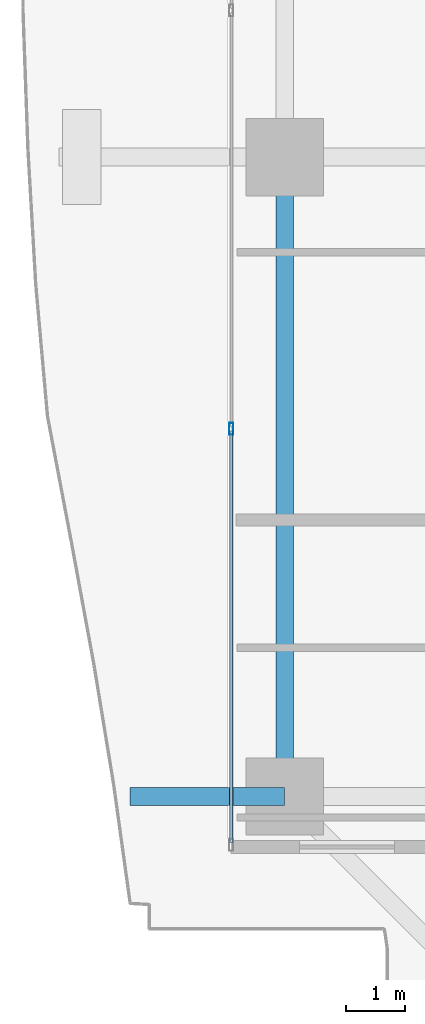
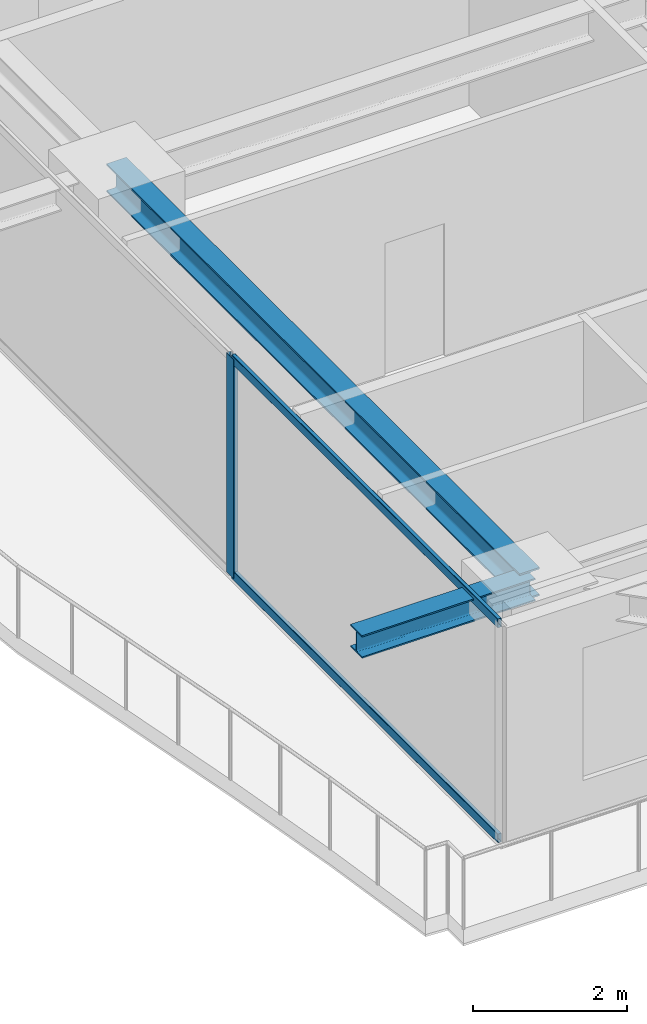
# One storey, part 3 of 39: 3 members, 2 beams, 1 element without a shape of its own.
"""IFC4 building model written with IfcOpenShell, lengths in metres."""

from ifc_helpers import new_model, si_unit, direction, frame, origin, origin_2d, place, context, subcontext, project, spatial, hollow_rectangle, i_section, extrude, source, transform, mapped, material, layer, layer_set, material_profile, profile_set, type_object, element, aggregate, save


model = new_model("IFC4")

# Units and contexts
model_context = context("Model", 3, precision=1e-05, world=origin(), true_north=direction((0.0, 1.0)))
body_context = subcontext(model_context, "Body", "Model", "MODEL_VIEW")
ifc_project = project(units=[si_unit("LENGTHUNIT", "METRE"), si_unit("AREAUNIT", "SQUARE_METRE"), si_unit("VOLUMEUNIT", "CUBIC_METRE"), si_unit("PLANEANGLEUNIT", "RADIAN"), si_unit("MASSUNIT", "GRAM", prefix="KILO")], contexts=[model_context])

# Site, building, storey
site_placement = place(None, origin())
site = spatial("IfcSite", under=ifc_project, at=site_placement, CompositionType="ELEMENT")
building_placement = place(site_placement, origin())
building = spatial("IfcBuilding", under=site, at=building_placement, Name="Serunith Strait Residences", CompositionType="ELEMENT")
storey_placement = place(building_placement, frame((0.0, 0.0, 123.89990234375)))
storey = spatial("IfcBuildingStorey", under=building, at=storey_placement, Name="L30", CompositionType="ELEMENT", Elevation=123.89990234375)

# Beams
ifc_material_1 = material(Name="Steel S355J2", Category="steel")
ifc_material_profile_1 = material_profile(ifc_material_1, i_section(OverallWidth=0.300048828125, OverallDepth=0.449951171875, WebThickness=0.013916015625, FlangeThickness=0.02587890625, FilletRadius=0.027099609375, at=origin_2d()), Name="HEB 450")
ifc_profile_set_1 = profile_set([ifc_material_profile_1], Name="Steel S355J2")
beam_type_1 = type_object("IfcBeamType", Name="BM-HEB450", PredefinedType="BEAM", material=ifc_profile_set_1)
shared_shape_1 = source(origin(), body_context, "Body", "SweptSolid", [
    extrude(i_section(OverallWidth=0.300048828125, OverallDepth=0.449951171875, WebThickness=0.013916015625, FlangeThickness=0.02587890625, FilletRadius=0.027099609375, at=origin_2d()), origin(), (0.0, 0.0, 1.0), 10.75),
])
beam_1_placement = place(storey_placement, frame((8.699951171875, 21.0, 3.26220703125), z_axis=(0.0, -1.0, 0.0), x_axis=(1.0, 0.0, 0.0)))
element("IfcBeam", 1, at=beam_1_placement, inside=storey, type_object=beam_type_1, Name="L30 Perimeter Ring Beam 15", PredefinedType="BEAM", context=body_context, shape_type="MappedRepresentation", body=[
    mapped(shared_shape_1, transform((0.0, 0.0, 0.0), scale=1.0)),
])
ifc_material_profile_2 = material_profile(ifc_material_1, i_section(OverallWidth=0.300048828125, OverallDepth=0.360107421875, WebThickness=0.012451171875, FlangeThickness=0.0224609375, FilletRadius=0.027099609375, at=origin_2d()), Name="HEB 360")
ifc_profile_set_2 = profile_set([ifc_material_profile_2], Name="Steel S355J2")
beam_type_2 = type_object("IfcBeamType", Name="BM-HEB360", PredefinedType="BEAM", material=ifc_profile_set_2)
shared_shape_2 = source(origin(), body_context, "Body", "SweptSolid", [
    extrude(i_section(OverallWidth=0.300048828125, OverallDepth=0.360107421875, WebThickness=0.012451171875, FlangeThickness=0.0224609375, FilletRadius=0.027099609375, at=origin_2d()), origin(), (0.0, 0.0, 1.0), 2.603271484375),
])
beam_2_placement = place(storey_placement, frame((8.699951171875, 10.25, 3.277099609375), z_axis=(-1.0, 0.0, 0.0), x_axis=(0.0, -1.0, 0.0)))
element("IfcBeam", 2, at=beam_2_placement, inside=storey, type_object=beam_type_2, Name="L31 Cantilevered Balcony Rib TC-W1", PredefinedType="BEAM", context=body_context, shape_type="MappedRepresentation", body=[
    mapped(shared_shape_2, transform((0.0, 0.0, 0.0), scale=1.0)),
])

# Curtain wall, members
ifc_material_2 = material(Name="Pale-Champagne Anodised Aluminium", Category="aluminium")
ifc_layer = layer(ifc_material_2, 0.199951171875, Name="Pale-Champagne Anodised Aluminium")
ifc_layer_set = layer_set([ifc_layer], Name="Pale-Champagne Anodised Aluminium")
curtain_wall_type = type_object("IfcCurtainWallType", Name="CW-SYS2", PredefinedType="NOTDEFINED", material=ifc_layer_set)
curtain_wall_placement = place(storey_placement, origin())
curtain_wall = element("IfcCurtainWall", 3, at=curtain_wall_placement, inside=storey, type_object=curtain_wall_type, Name="L30 W Unitised Fritted Curtain Wall", PredefinedType="NOTDEFINED")
ifc_material_profile_3 = material_profile(ifc_material_2, hollow_rectangle(XDim=0.070068359375, YDim=0.199951171875, WallThickness=0.00390625, InnerFilletRadius=0.006103515625, OuterFilletRadius=0.010009765625, at=origin_2d()), Name="ALU 200x70x4")
ifc_profile_set_3 = profile_set([ifc_material_profile_3], Name="Pale-Champagne Anodised Aluminium")
member_type_1 = type_object("IfcMemberType", Name="CW-SYS2-MULL", PredefinedType="MULLION", material=ifc_profile_set_3)
shared_shape_3 = source(origin(), body_context, "Body", "SweptSolid", [
    extrude(hollow_rectangle(XDim=0.070068359375, YDim=0.199951171875, WallThickness=0.00390625, InnerFilletRadius=0.006103515625, OuterFilletRadius=0.010009765625, at=origin_2d()), origin(), (0.0, 0.0, 1.0), 3.47509765625),
])
member_1_placement = place(storey_placement, frame((7.800048828125, 16.433349609375, 0.0), z_axis=(0.0, 0.0, 1.0), x_axis=(1.0, 0.0, 0.0)))
member_1 = element("IfcMember", 4, at=member_1_placement, type_object=member_type_1, Name="CW-2 mullion 3", PredefinedType="MULLION", context=body_context, shape_type="MappedRepresentation", body=[
    mapped(shared_shape_3, transform((0.0, 0.0, 0.0), scale=1.0)),
])
ifc_material_profile_4 = material_profile(ifc_material_2, hollow_rectangle(XDim=0.06005859375, YDim=0.139892578125, WallThickness=0.00341796875, InnerFilletRadius=0.00537109375, OuterFilletRadius=0.0087890625, at=origin_2d()), Name="ALU 140x60x3.5")
ifc_profile_set_4 = profile_set([ifc_material_profile_4], Name="Pale-Champagne Anodised Aluminium")
member_type_2 = type_object("IfcMemberType", Name="CW-SYS2-TRAN", PredefinedType="USERDEFINED", material=ifc_profile_set_4)
shared_shape_4 = source(origin(), body_context, "Body", "SweptSolid", [
    extrude(hollow_rectangle(XDim=0.06005859375, YDim=0.139892578125, WallThickness=0.00341796875, InnerFilletRadius=0.00537109375, OuterFilletRadius=0.0087890625, at=origin_2d()), origin(), (0.0, 0.0, 1.0), 6.928466796875),
])
member_2_placement = place(storey_placement, frame((7.800048828125, 16.3984375, 0.030029296875), z_axis=(0.0, -1.0, 0.0), x_axis=(1.0, 0.0, 0.0)))
member_2 = element("IfcMember", 5, at=member_2_placement, type_object=member_type_2, Name="CW-2 transom 3.1", ObjectType="TRANSOM", PredefinedType="USERDEFINED", context=body_context, shape_type="MappedRepresentation", body=[
    mapped(shared_shape_4, transform((0.0, 0.0, 0.0), scale=1.0)),
])
member_3_placement = place(storey_placement, frame((7.800048828125, 16.3984375, 3.445068359375), z_axis=(0.0, -1.0, 0.0), x_axis=(1.0, 0.0, 0.0)))
member_3 = element("IfcMember", 6, at=member_3_placement, type_object=member_type_2, Name="CW-2 transom 3.2", ObjectType="TRANSOM", PredefinedType="USERDEFINED", context=body_context, shape_type="MappedRepresentation", body=[
    mapped(shared_shape_4, transform((0.0, 0.0, 0.0), scale=1.0)),
])
aggregate(curtain_wall, [member_1, member_2, member_3])

save(model, "model.ifc")
